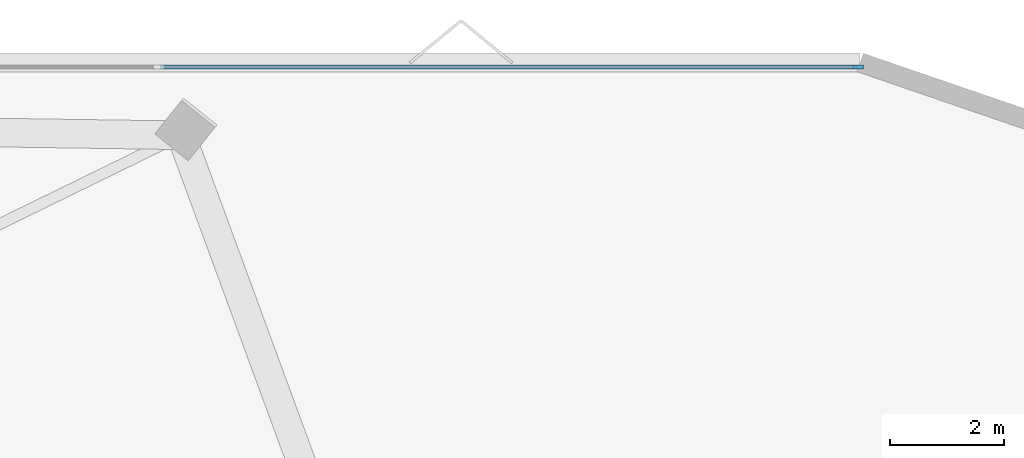
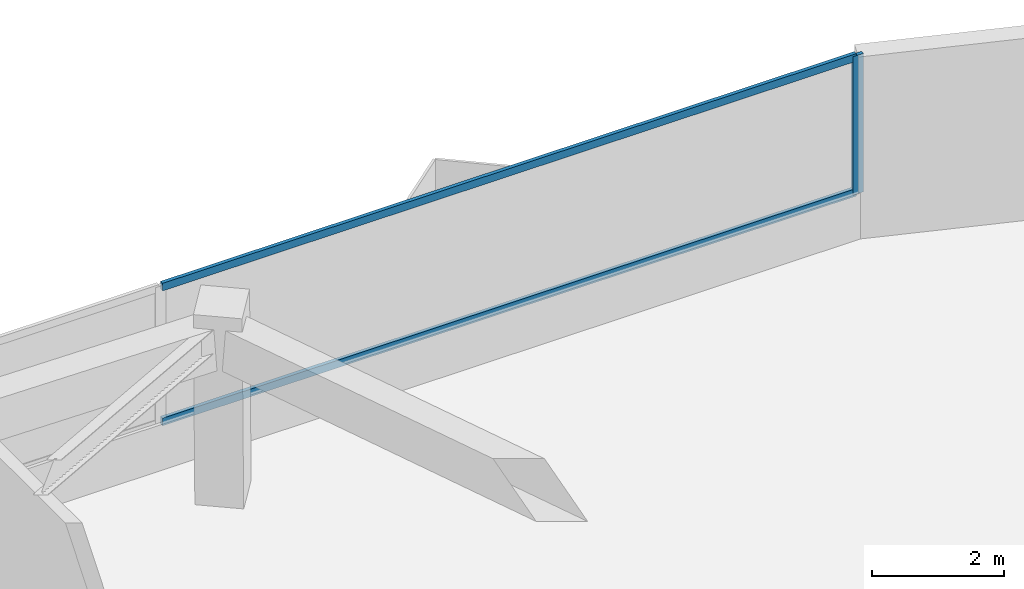
# One storey, part 9 of 15: 3 members, 1 element without a shape of its own.
"""IFC4 building model written with IfcOpenShell, lengths in metres."""

from ifc_helpers import new_model, si_unit, direction, frame, origin, origin_2d, place, context, subcontext, project, spatial, rectangle, extrude, material, layer, layer_set, material_profile, profile_set, type_object, element, aggregate, save


model = new_model("IFC4")

# Units and contexts
model_context = context("Model", 3, precision=1e-05, world=origin(), true_north=direction((0.0, 1.0)))
body_context = subcontext(model_context, "Body", "Model", "MODEL_VIEW")
ifc_project = project(units=[si_unit("LENGTHUNIT", "METRE"), si_unit("AREAUNIT", "SQUARE_METRE"), si_unit("VOLUMEUNIT", "CUBIC_METRE"), si_unit("PLANEANGLEUNIT", "RADIAN"), si_unit("MASSUNIT", "GRAM", prefix="KILO")], contexts=[model_context])

# Site, building, storey
site_placement = place(None, origin())
site = spatial("IfcSite", under=ifc_project, at=site_placement, CompositionType="ELEMENT")
building_placement = place(site_placement, origin())
building = spatial("IfcBuilding", under=site, at=building_placement, Name="Talyreon Biosciences Tower", CompositionType="ELEMENT")
storey_placement = place(building_placement, frame((0.0, 0.0, 127.199951171875)))
storey = spatial("IfcBuildingStorey", under=building, at=storey_placement, Name="L33", CompositionType="ELEMENT", Elevation=127.199951171875)

# Curtain wall, members
ifc_material_1 = material(Name="Thermally broken aluminium and low-E glazing", Category="aluminium")
ifc_layer = layer(ifc_material_1, 0.18505859375)
ifc_layer_set = layer_set([ifc_layer], Name="Thermally broken aluminium and low-E glazing")
curtain_wall_type = type_object("IfcCurtainWallType", Name="CurtainWall_Zone3Bioprocess", PredefinedType="NOTDEFINED", material=ifc_layer_set)
curtain_wall_placement = place(storey_placement, origin())
curtain_wall = element("IfcCurtainWall", 1, at=curtain_wall_placement, inside=storey, type_object=curtain_wall_type, Name="L33 Unitised Curtain Wall FCW-L33-04", PredefinedType="NOTDEFINED")
ifc_material_2 = material(Name="Anodised thermally broken aluminium", Category="aluminium")
ifc_material_profile_1 = material_profile(ifc_material_2, rectangle(XDim=0.06494140625, YDim=0.179931640625, at=origin_2d()), Name="ALUM MULLION 65x180")
ifc_profile_set_1 = profile_set([ifc_material_profile_1], Name="Anodised thermally broken aluminium")
member_type_1 = type_object("IfcMemberType", Name="CWMullion_65x180", PredefinedType="MULLION", material=ifc_profile_set_1)
member_1_placement = place(storey_placement, frame((90.490478515625, 89.173095703125, 0.81005859375), z_axis=(0.0, 0.0, 1.0), x_axis=(0.0, 1.0, 0.0)))
member_1 = element("IfcMember", 2, at=member_1_placement, type_object=member_type_1, Name="CW4 mullion 5", PredefinedType="MULLION", context=body_context, shape_type="SweptSolid", body=[
    extrude(rectangle(XDim=0.06494140625, YDim=0.179931640625, at=origin_2d()), origin(), (0.0, 0.0, 1.0), 2.56494140625),
])
ifc_material_profile_2 = material_profile(ifc_material_2, rectangle(XDim=0.06494140625, YDim=0.139892578125, at=origin_2d()), Name="ALUM TRANSOM 65x140")
ifc_profile_set_2 = profile_set([ifc_material_profile_2], Name="Anodised thermally broken aluminium")
member_type_2 = type_object("IfcMemberType", Name="CWTransom_65x140", PredefinedType="USERDEFINED", material=ifc_profile_set_2)
member_2_placement = place(storey_placement, frame((78.2939453125, 89.173095703125, 0.842529296875), z_axis=(1.0, 0.0, 0.0), x_axis=(0.0, 1.0, 0.0)))
member_2 = element("IfcMember", 3, at=member_2_placement, type_object=member_type_2, Name="CW4 transom 4.1", ObjectType="TRANSOM", PredefinedType="USERDEFINED", context=body_context, shape_type="SweptSolid", body=[
    extrude(rectangle(XDim=0.06494140625, YDim=0.139892578125, at=origin_2d()), origin(), (0.0, 0.0, 1.0), 12.1640625),
])
member_3_placement = place(storey_placement, frame((78.2939453125, 89.173095703125, 3.342529296875), z_axis=(1.0, 0.0, 0.0), x_axis=(0.0, 1.0, 0.0)))
member_3 = element("IfcMember", 4, at=member_3_placement, type_object=member_type_2, Name="CW4 transom 4.2", ObjectType="TRANSOM", PredefinedType="USERDEFINED", context=body_context, shape_type="SweptSolid", body=[
    extrude(rectangle(XDim=0.06494140625, YDim=0.139892578125, at=origin_2d()), origin(), (0.0, 0.0, 1.0), 12.1640625),
])
aggregate(curtain_wall, [member_1, member_2, member_3])

save(model, "model.ifc")
